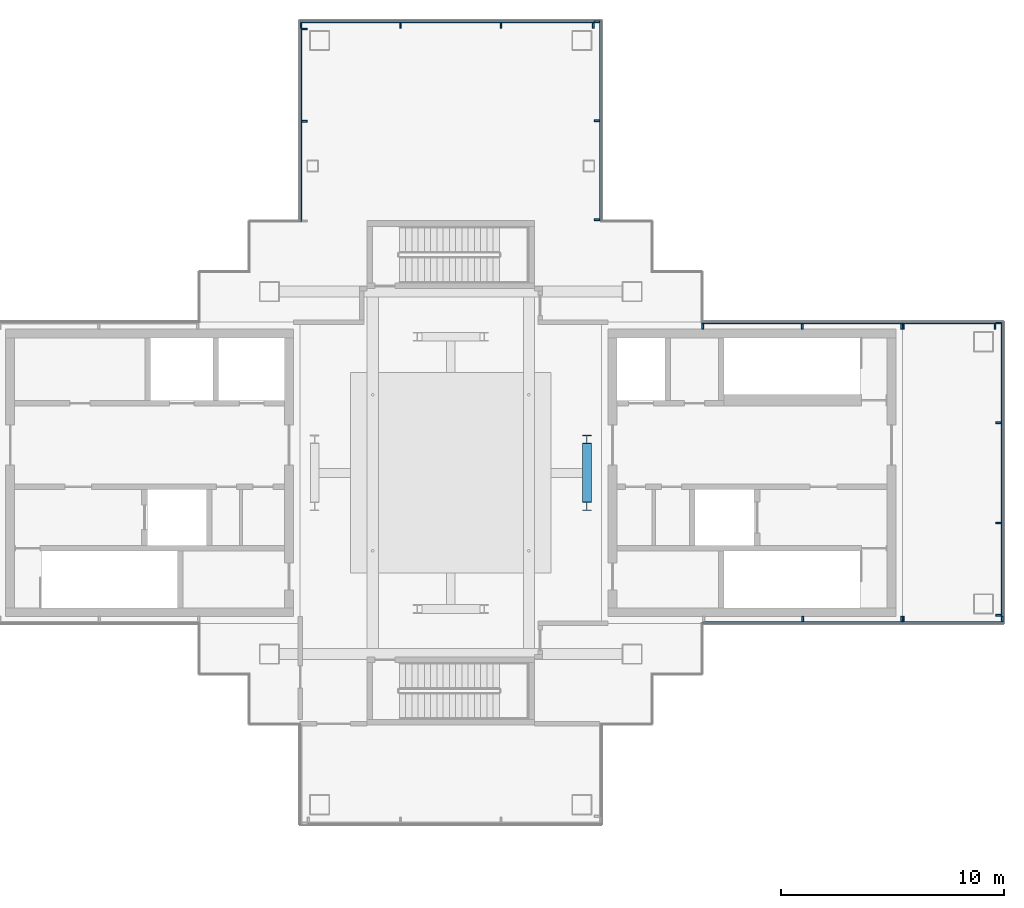
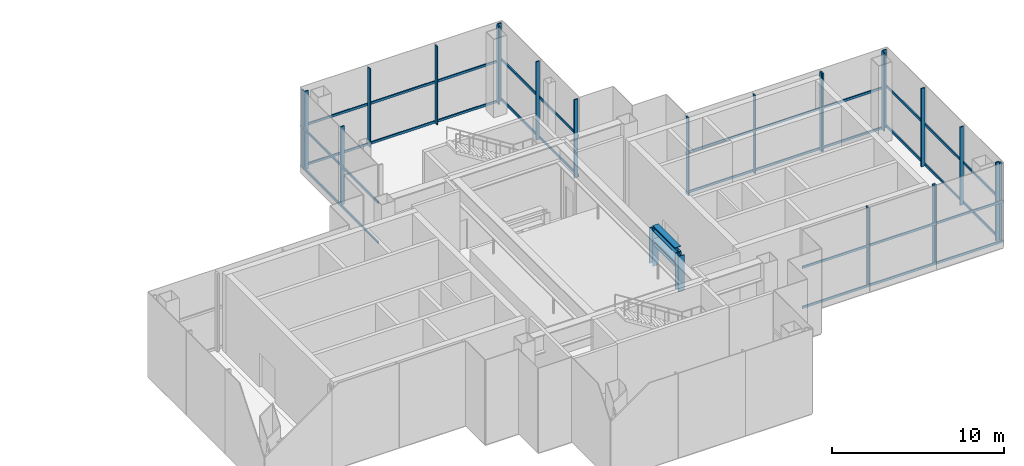
# One storey, part 6 of 17: 40 members, 2 beams, 8 elements without a shape of their own.
"""IFC4 building model written with IfcOpenShell, lengths in metres."""

from ifc_helpers import new_model, si_unit, direction, frame, origin, origin_2d, place, context, subcontext, project, spatial, rectangle, i_section, extrude, material, layer, layer_set, material_profile, profile_set, type_object, element, aggregate, save


model = new_model("IFC4")

# Units and contexts
model_context = context("Model", 3, precision=1e-05, world=origin(), true_north=direction((0.0, 1.0)))
body_context = subcontext(model_context, "Body", "Model", "MODEL_VIEW")
ifc_project = project(units=[si_unit("LENGTHUNIT", "METRE"), si_unit("AREAUNIT", "SQUARE_METRE"), si_unit("VOLUMEUNIT", "CUBIC_METRE"), si_unit("PLANEANGLEUNIT", "RADIAN"), si_unit("MASSUNIT", "GRAM", prefix="KILO")], contexts=[model_context])

# Site, building, storey
site_placement = place(None, origin())
site = spatial("IfcSite", under=ifc_project, at=site_placement, CompositionType="ELEMENT")
building_placement = place(site_placement, origin())
building = spatial("IfcBuilding", under=site, at=building_placement, Name="Shamsa Quay Exchange Towers", CompositionType="ELEMENT")
storey_placement = place(building_placement, frame((0.0, 0.0, 278.300048828125)))
storey = spatial("IfcBuildingStorey", under=building, at=storey_placement, Name="L67", CompositionType="ELEMENT", Elevation=278.300048828125)

# Curtain wall, members
ifc_material_1 = material(Name="Aluminium EN AW-6063 T6, black anodised", Category="aluminium")
ifc_layer = layer(ifc_material_1, 0.364013671875)
ifc_layer_set = layer_set([ifc_layer], Name="CW-5 LANTERN GLAZING")
curtain_wall_type = type_object("IfcCurtainWallType", Name="CW-5 LANTERN GLAZING", PredefinedType="NOTDEFINED", material=ifc_layer_set)
curtain_wall_1_placement = place(storey_placement, origin())
curtain_wall_1 = element("IfcCurtainWall", 1, at=curtain_wall_1_placement, inside=storey, type_object=curtain_wall_type, Name="CW5 T2-FLK-V-W L67", PredefinedType="NOTDEFINED")
ifc_material_profile_1 = material_profile(ifc_material_1, rectangle(XDim=0.239990234375, YDim=0.080078125, at=origin_2d()), Name="MU80x240")
ifc_profile_set_1 = profile_set([ifc_material_profile_1], Name="Aluminium EN AW-6063 T6, black anodised")
member_type_1 = type_object("IfcMemberType", Name="CW5 MULLION 80x240", PredefinedType="MULLION", material=ifc_profile_set_1)
member_1_placement = place(storey_placement, frame((49.52294921875, -6.550048828125, 0.0), z_axis=(0.0, 0.0, 1.0), x_axis=(0.0, 1.0, 0.0)))
member_1 = element("IfcMember", 2, at=member_1_placement, type_object=member_type_1, Name="CW5 mullion", PredefinedType="MULLION", context=body_context, shape_type="SweptSolid", body=[
    extrude(rectangle(XDim=0.239990234375, YDim=0.080078125, at=origin_2d()), origin(), (0.0, 0.0, 1.0), 5.550048828125),
])
member_2_placement = place(storey_placement, frame((53.9599609375, -6.550048828125, 0.0), z_axis=(0.0, 0.0, 1.0), x_axis=(0.0, 1.0, 0.0)))
member_2 = element("IfcMember", 3, at=member_2_placement, type_object=member_type_1, Name="CW5 mullion", PredefinedType="MULLION", context=body_context, shape_type="SweptSolid", body=[
    extrude(rectangle(XDim=0.239990234375, YDim=0.080078125, at=origin_2d()), origin(), (0.0, 0.0, 1.0), 5.550048828125),
])

curtain_wall_2_placement = place(storey_placement, origin())
curtain_wall_2 = element("IfcCurtainWall", 4, at=curtain_wall_2_placement, inside=storey, type_object=curtain_wall_type, Name="CW5 T2-FLK-V-W L67", PredefinedType="NOTDEFINED")
member_3_placement = place(storey_placement, frame((54.0400390625, -6.550048828125, 0.0), z_axis=(0.0, 0.0, 1.0), x_axis=(0.0, 1.0, 0.0)))
member_3 = element("IfcMember", 5, at=member_3_placement, type_object=member_type_1, Name="CW5 mullion", PredefinedType="MULLION", context=body_context, shape_type="SweptSolid", body=[
    extrude(rectangle(XDim=0.239990234375, YDim=0.080078125, at=origin_2d()), origin(), (0.0, 0.0, 1.0), 5.550048828125),
])
member_4_placement = place(storey_placement, frame((58.4599609375, -6.550048828125, 0.0), z_axis=(0.0, 0.0, 1.0), x_axis=(0.0, 1.0, 0.0)))
member_4 = element("IfcMember", 6, at=member_4_placement, type_object=member_type_1, Name="CW5 mullion", PredefinedType="MULLION", context=body_context, shape_type="SweptSolid", body=[
    extrude(rectangle(XDim=0.239990234375, YDim=0.080078125, at=origin_2d()), origin(), (0.0, 0.0, 1.0), 5.550048828125),
])

curtain_wall_3_placement = place(storey_placement, origin())
curtain_wall_3 = element("IfcCurtainWall", 7, at=curtain_wall_3_placement, inside=storey, type_object=curtain_wall_type, Name="CW5 T2-END-V- L67", PredefinedType="NOTDEFINED")
member_5_placement = place(storey_placement, frame((58.300048828125, -6.387939453125, 0.0), z_axis=(0.0, 0.0, 1.0), x_axis=(-1.0, 0.0, 0.0)))
member_5 = element("IfcMember", 8, at=member_5_placement, type_object=member_type_1, Name="CW5 mullion", PredefinedType="MULLION", context=body_context, shape_type="SweptSolid", body=[
    extrude(rectangle(XDim=0.239990234375, YDim=0.080078125, at=origin_2d()), origin(), (0.0, 0.0, 1.0), 5.550048828125),
])
member_6_placement = place(storey_placement, frame((58.300048828125, -2.25, 0.0), z_axis=(0.0, 0.0, 1.0), x_axis=(-1.0, 0.0, 0.0)))
member_6 = element("IfcMember", 9, at=member_6_placement, type_object=member_type_1, Name="CW5 mullion", PredefinedType="MULLION", context=body_context, shape_type="SweptSolid", body=[
    extrude(rectangle(XDim=0.239990234375, YDim=0.080078125, at=origin_2d()), origin(), (0.0, 0.0, 1.0), 5.550048828125),
])
member_7_placement = place(storey_placement, frame((58.300048828125, 2.25, 0.0), z_axis=(0.0, 0.0, 1.0), x_axis=(-1.0, 0.0, 0.0)))
member_7 = element("IfcMember", 10, at=member_7_placement, type_object=member_type_1, Name="CW5 mullion", PredefinedType="MULLION", context=body_context, shape_type="SweptSolid", body=[
    extrude(rectangle(XDim=0.239990234375, YDim=0.080078125, at=origin_2d()), origin(), (0.0, 0.0, 1.0), 5.550048828125),
])
member_8_placement = place(storey_placement, frame((58.300048828125, 6.7099609375, 0.0), z_axis=(0.0, 0.0, 1.0), x_axis=(-1.0, 0.0, 0.0)))
member_8 = element("IfcMember", 11, at=member_8_placement, type_object=member_type_1, Name="CW5 mullion", PredefinedType="MULLION", context=body_context, shape_type="SweptSolid", body=[
    extrude(rectangle(XDim=0.239990234375, YDim=0.080078125, at=origin_2d()), origin(), (0.0, 0.0, 1.0), 5.550048828125),
])

curtain_wall_4_placement = place(storey_placement, origin())
curtain_wall_4 = element("IfcCurtainWall", 12, at=curtain_wall_4_placement, inside=storey, type_object=curtain_wall_type, Name="CW5 T2-FLK-V-E L67", PredefinedType="NOTDEFINED")
member_9_placement = place(storey_placement, frame((58.137939453125, 6.550048828125, 0.0), z_axis=(0.0, 0.0, 1.0), x_axis=(0.0, -1.0, 0.0)))
member_9 = element("IfcMember", 13, at=member_9_placement, type_object=member_type_1, Name="CW5 mullion", PredefinedType="MULLION", context=body_context, shape_type="SweptSolid", body=[
    extrude(rectangle(XDim=0.239990234375, YDim=0.080078125, at=origin_2d()), origin(), (0.0, 0.0, 1.0), 5.550048828125),
])
member_10_placement = place(storey_placement, frame((54.0400390625, 6.550048828125, 0.0), z_axis=(0.0, 0.0, 1.0), x_axis=(0.0, -1.0, 0.0)))
member_10 = element("IfcMember", 14, at=member_10_placement, type_object=member_type_1, Name="CW5 mullion", PredefinedType="MULLION", context=body_context, shape_type="SweptSolid", body=[
    extrude(rectangle(XDim=0.239990234375, YDim=0.080078125, at=origin_2d()), origin(), (0.0, 0.0, 1.0), 5.550048828125),
])

curtain_wall_5_placement = place(storey_placement, origin())
curtain_wall_5 = element("IfcCurtainWall", 15, at=curtain_wall_5_placement, inside=storey, type_object=curtain_wall_type, Name="CW5 T2-FLK-V-E L67", PredefinedType="NOTDEFINED")
member_11_placement = place(storey_placement, frame((53.9599609375, 6.550048828125, 0.0), z_axis=(0.0, 0.0, 1.0), x_axis=(0.0, -1.0, 0.0)))
member_11 = element("IfcMember", 16, at=member_11_placement, type_object=member_type_1, Name="CW5 mullion", PredefinedType="MULLION", context=body_context, shape_type="SweptSolid", body=[
    extrude(rectangle(XDim=0.239990234375, YDim=0.080078125, at=origin_2d()), origin(), (0.0, 0.0, 1.0), 5.550048828125),
])
member_12_placement = place(storey_placement, frame((49.5, 6.550048828125, 0.0), z_axis=(0.0, 0.0, 1.0), x_axis=(0.0, -1.0, 0.0)))
member_12 = element("IfcMember", 17, at=member_12_placement, type_object=member_type_1, Name="CW5 mullion", PredefinedType="MULLION", context=body_context, shape_type="SweptSolid", body=[
    extrude(rectangle(XDim=0.239990234375, YDim=0.080078125, at=origin_2d()), origin(), (0.0, 0.0, 1.0), 5.550048828125),
])
member_13_placement = place(storey_placement, frame((45.0400390625, 6.550048828125, 0.0), z_axis=(0.0, 0.0, 1.0), x_axis=(0.0, -1.0, 0.0)))
member_13 = element("IfcMember", 18, at=member_13_placement, type_object=member_type_1, Name="CW5 mullion", PredefinedType="MULLION", context=body_context, shape_type="SweptSolid", body=[
    extrude(rectangle(XDim=0.239990234375, YDim=0.080078125, at=origin_2d()), origin(), (0.0, 0.0, 1.0), 5.550048828125),
])

curtain_wall_6_placement = place(storey_placement, origin())
curtain_wall_6 = element("IfcCurtainWall", 19, at=curtain_wall_6_placement, inside=storey, type_object=curtain_wall_type, Name="CW5 T2-FLK-U+S L67", PredefinedType="NOTDEFINED")
member_14_placement = place(storey_placement, frame((40.300048828125, 11.3359375, 0.0), z_axis=(0.0, 0.0, 1.0), x_axis=(-1.0, 0.0, 0.0)))
member_14 = element("IfcMember", 20, at=member_14_placement, type_object=member_type_1, Name="CW5 mullion", PredefinedType="MULLION", context=body_context, shape_type="SweptSolid", body=[
    extrude(rectangle(XDim=0.239990234375, YDim=0.080078125, at=origin_2d()), origin(), (0.0, 0.0, 1.0), 5.550048828125),
])
member_15_placement = place(storey_placement, frame((40.300048828125, 15.77294921875, 0.0), z_axis=(0.0, 0.0, 1.0), x_axis=(-1.0, 0.0, 0.0)))
member_15 = element("IfcMember", 21, at=member_15_placement, type_object=member_type_1, Name="CW5 mullion", PredefinedType="MULLION", context=body_context, shape_type="SweptSolid", body=[
    extrude(rectangle(XDim=0.239990234375, YDim=0.080078125, at=origin_2d()), origin(), (0.0, 0.0, 1.0), 5.550048828125),
])
member_16_placement = place(storey_placement, frame((40.300048828125, 20.2099609375, 0.0), z_axis=(0.0, 0.0, 1.0), x_axis=(-1.0, 0.0, 0.0)))
member_16 = element("IfcMember", 22, at=member_16_placement, type_object=member_type_1, Name="CW5 mullion", PredefinedType="MULLION", context=body_context, shape_type="SweptSolid", body=[
    extrude(rectangle(XDim=0.239990234375, YDim=0.080078125, at=origin_2d()), origin(), (0.0, 0.0, 1.0), 5.550048828125),
])

curtain_wall_7_placement = place(storey_placement, origin())
curtain_wall_7 = element("IfcCurtainWall", 23, at=curtain_wall_7_placement, inside=storey, type_object=curtain_wall_type, Name="CW5 T2-END-U+ L67", PredefinedType="NOTDEFINED")
member_17_placement = place(storey_placement, frame((40.137939453125, 20.050048828125, 0.0), z_axis=(0.0, 0.0, 1.0), x_axis=(0.0, -1.0, 0.0)))
member_17 = element("IfcMember", 24, at=member_17_placement, type_object=member_type_1, Name="CW5 mullion", PredefinedType="MULLION", context=body_context, shape_type="SweptSolid", body=[
    extrude(rectangle(XDim=0.239990234375, YDim=0.080078125, at=origin_2d()), origin(), (0.0, 0.0, 1.0), 5.550048828125),
])
member_18_placement = place(storey_placement, frame((36.0, 20.050048828125, 0.0), z_axis=(0.0, 0.0, 1.0), x_axis=(0.0, -1.0, 0.0)))
member_18 = element("IfcMember", 25, at=member_18_placement, type_object=member_type_1, Name="CW5 mullion", PredefinedType="MULLION", context=body_context, shape_type="SweptSolid", body=[
    extrude(rectangle(XDim=0.239990234375, YDim=0.080078125, at=origin_2d()), origin(), (0.0, 0.0, 1.0), 5.550048828125),
])
member_19_placement = place(storey_placement, frame((31.5, 20.050048828125, 0.0), z_axis=(0.0, 0.0, 1.0), x_axis=(0.0, -1.0, 0.0)))
member_19 = element("IfcMember", 26, at=member_19_placement, type_object=member_type_1, Name="CW5 mullion", PredefinedType="MULLION", context=body_context, shape_type="SweptSolid", body=[
    extrude(rectangle(XDim=0.239990234375, YDim=0.080078125, at=origin_2d()), origin(), (0.0, 0.0, 1.0), 5.550048828125),
])
member_20_placement = place(storey_placement, frame((27.0400390625, 20.050048828125, 0.0), z_axis=(0.0, 0.0, 1.0), x_axis=(0.0, -1.0, 0.0)))
member_20 = element("IfcMember", 27, at=member_20_placement, type_object=member_type_1, Name="CW5 mullion", PredefinedType="MULLION", context=body_context, shape_type="SweptSolid", body=[
    extrude(rectangle(XDim=0.239990234375, YDim=0.080078125, at=origin_2d()), origin(), (0.0, 0.0, 1.0), 5.550048828125),
])

curtain_wall_8_placement = place(storey_placement, origin())
curtain_wall_8 = element("IfcCurtainWall", 28, at=curtain_wall_8_placement, inside=storey, type_object=curtain_wall_type, Name="CW5 T2-FLK-U+N L67", PredefinedType="NOTDEFINED")
member_21_placement = place(storey_placement, frame((27.199951171875, 19.887939453125, 0.0)))
member_21 = element("IfcMember", 29, at=member_21_placement, type_object=member_type_1, Name="CW5 mullion", PredefinedType="MULLION", context=body_context, shape_type="SweptSolid", body=[
    extrude(rectangle(XDim=0.239990234375, YDim=0.080078125, at=origin_2d()), origin(), (0.0, 0.0, 1.0), 5.550048828125),
])
member_22_placement = place(storey_placement, frame((27.199951171875, 15.75, 0.0)))
member_22 = element("IfcMember", 30, at=member_22_placement, type_object=member_type_1, Name="CW5 mullion", PredefinedType="MULLION", context=body_context, shape_type="SweptSolid", body=[
    extrude(rectangle(XDim=0.239990234375, YDim=0.080078125, at=origin_2d()), origin(), (0.0, 0.0, 1.0), 5.550048828125),
])

# Member
ifc_material_profile_2 = material_profile(ifc_material_1, rectangle(XDim=0.080078125, YDim=0.159912109375, at=origin_2d()), Name="TR160x80")
ifc_profile_set_2 = profile_set([ifc_material_profile_2], Name="Aluminium EN AW-6063 T6, black anodised")
member_type_2 = type_object("IfcMemberType", Name="CW5 TRANSOM 160x80", PredefinedType="USERDEFINED", material=ifc_profile_set_2)
member_23_placement = place(storey_placement, frame((45.0458984375, -6.7099609375, 0.079833984375), z_axis=(1.0, 0.0, 0.0), x_axis=(0.0, 1.0, 0.0)))
member_23 = element("IfcMember", 31, at=member_23_placement, type_object=member_type_2, Name="CW5 transom", ObjectType="TRANSOM", PredefinedType="USERDEFINED", context=body_context, shape_type="SweptSolid", body=[
    extrude(rectangle(XDim=0.080078125, YDim=0.159912109375, at=origin_2d()), origin(), (0.0, 0.0, 1.0), 8.9541015625),
])

member_24_placement = place(storey_placement, frame((45.0458984375, -6.7099609375, 2.905029296875), z_axis=(1.0, 0.0, 0.0), x_axis=(0.0, 1.0, 0.0)))
member_24 = element("IfcMember", 32, at=member_24_placement, type_object=member_type_2, Name="CW5 transom", ObjectType="TRANSOM", PredefinedType="USERDEFINED", context=body_context, shape_type="SweptSolid", body=[
    extrude(rectangle(XDim=0.080078125, YDim=0.159912109375, at=origin_2d()), origin(), (0.0, 0.0, 1.0), 8.9541015625),
])

aggregate(curtain_wall_1, [member_23, member_24, member_1, member_2])

member_25_placement = place(storey_placement, frame((54.0, -6.7099609375, 0.079833984375), z_axis=(1.0, 0.0, 0.0), x_axis=(0.0, 1.0, 0.0)))
member_25 = element("IfcMember", 33, at=member_25_placement, type_object=member_type_2, Name="CW5 transom", ObjectType="TRANSOM", PredefinedType="USERDEFINED", context=body_context, shape_type="SweptSolid", body=[
    extrude(rectangle(XDim=0.080078125, YDim=0.159912109375, at=origin_2d()), origin(), (0.0, 0.0, 1.0), 4.5),
])

member_26_placement = place(storey_placement, frame((54.0, -6.7099609375, 2.905029296875), z_axis=(1.0, 0.0, 0.0), x_axis=(0.0, 1.0, 0.0)))
member_26 = element("IfcMember", 34, at=member_26_placement, type_object=member_type_2, Name="CW5 transom", ObjectType="TRANSOM", PredefinedType="USERDEFINED", context=body_context, shape_type="SweptSolid", body=[
    extrude(rectangle(XDim=0.080078125, YDim=0.159912109375, at=origin_2d()), origin(), (0.0, 0.0, 1.0), 4.5),
])

aggregate(curtain_wall_2, [member_25, member_26, member_3, member_4])

member_27_placement = place(storey_placement, frame((58.4599609375, -6.427978515625, 0.079833984375), z_axis=(0.0, 1.0, 0.0), x_axis=(-1.0, 0.0, 0.0)))
member_27 = element("IfcMember", 35, at=member_27_placement, type_object=member_type_2, Name="CW5 transom", ObjectType="TRANSOM", PredefinedType="USERDEFINED", context=body_context, shape_type="SweptSolid", body=[
    extrude(rectangle(XDim=0.080078125, YDim=0.159912109375, at=origin_2d()), origin(), (0.0, 0.0, 1.0), 13.177978515625),
])

member_28_placement = place(storey_placement, frame((58.4599609375, -6.427978515625, 2.905029296875), z_axis=(0.0, 1.0, 0.0), x_axis=(-1.0, 0.0, 0.0)))
member_28 = element("IfcMember", 36, at=member_28_placement, type_object=member_type_2, Name="CW5 transom", ObjectType="TRANSOM", PredefinedType="USERDEFINED", context=body_context, shape_type="SweptSolid", body=[
    extrude(rectangle(XDim=0.080078125, YDim=0.159912109375, at=origin_2d()), origin(), (0.0, 0.0, 1.0), 13.177978515625),
])

aggregate(curtain_wall_3, [member_27, member_28, member_5, member_6, member_7, member_8])

member_29_placement = place(storey_placement, frame((58.177978515625, 6.7099609375, 0.079833984375), z_axis=(-1.0, 0.0, 0.0), x_axis=(0.0, -1.0, 0.0)))
member_29 = element("IfcMember", 37, at=member_29_placement, type_object=member_type_2, Name="CW5 transom", ObjectType="TRANSOM", PredefinedType="USERDEFINED", context=body_context, shape_type="SweptSolid", body=[
    extrude(rectangle(XDim=0.080078125, YDim=0.159912109375, at=origin_2d()), origin(), (0.0, 0.0, 1.0), 4.177978515625),
])

member_30_placement = place(storey_placement, frame((58.177978515625, 6.7099609375, 2.905029296875), z_axis=(-1.0, 0.0, 0.0), x_axis=(0.0, -1.0, 0.0)))
member_30 = element("IfcMember", 38, at=member_30_placement, type_object=member_type_2, Name="CW5 transom", ObjectType="TRANSOM", PredefinedType="USERDEFINED", context=body_context, shape_type="SweptSolid", body=[
    extrude(rectangle(XDim=0.080078125, YDim=0.159912109375, at=origin_2d()), origin(), (0.0, 0.0, 1.0), 4.177978515625),
])

aggregate(curtain_wall_4, [member_29, member_30, member_9, member_10])

member_31_placement = place(storey_placement, frame((54.0, 6.7099609375, 0.079833984375), z_axis=(-1.0, 0.0, 0.0), x_axis=(0.0, -1.0, 0.0)))
member_31 = element("IfcMember", 39, at=member_31_placement, type_object=member_type_2, Name="CW5 transom", ObjectType="TRANSOM", PredefinedType="USERDEFINED", context=body_context, shape_type="SweptSolid", body=[
    extrude(rectangle(XDim=0.080078125, YDim=0.159912109375, at=origin_2d()), origin(), (0.0, 0.0, 1.0), 9.0),
])

member_32_placement = place(storey_placement, frame((54.0, 6.7099609375, 2.905029296875), z_axis=(-1.0, 0.0, 0.0), x_axis=(0.0, -1.0, 0.0)))
member_32 = element("IfcMember", 40, at=member_32_placement, type_object=member_type_2, Name="CW5 transom", ObjectType="TRANSOM", PredefinedType="USERDEFINED", context=body_context, shape_type="SweptSolid", body=[
    extrude(rectangle(XDim=0.080078125, YDim=0.159912109375, at=origin_2d()), origin(), (0.0, 0.0, 1.0), 9.0),
])

aggregate(curtain_wall_5, [member_31, member_32, member_11, member_12, member_13])

member_33_placement = place(storey_placement, frame((40.4599609375, 11.2958984375, 0.079833984375), z_axis=(0.0, 1.0, 0.0), x_axis=(-1.0, 0.0, 0.0)))
member_33 = element("IfcMember", 41, at=member_33_placement, type_object=member_type_2, Name="CW5 transom", ObjectType="TRANSOM", PredefinedType="USERDEFINED", context=body_context, shape_type="SweptSolid", body=[
    extrude(rectangle(XDim=0.080078125, YDim=0.159912109375, at=origin_2d()), origin(), (0.0, 0.0, 1.0), 8.9541015625),
])

member_34_placement = place(storey_placement, frame((40.4599609375, 11.2958984375, 2.905029296875), z_axis=(0.0, 1.0, 0.0), x_axis=(-1.0, 0.0, 0.0)))
member_34 = element("IfcMember", 42, at=member_34_placement, type_object=member_type_2, Name="CW5 transom", ObjectType="TRANSOM", PredefinedType="USERDEFINED", context=body_context, shape_type="SweptSolid", body=[
    extrude(rectangle(XDim=0.080078125, YDim=0.159912109375, at=origin_2d()), origin(), (0.0, 0.0, 1.0), 8.9541015625),
])

aggregate(curtain_wall_6, [member_33, member_34, member_14, member_15, member_16])

member_35_placement = place(storey_placement, frame((40.177978515625, 20.2099609375, 0.079833984375), z_axis=(-1.0, 0.0, 0.0), x_axis=(0.0, -1.0, 0.0)))
member_35 = element("IfcMember", 43, at=member_35_placement, type_object=member_type_2, Name="CW5 transom", ObjectType="TRANSOM", PredefinedType="USERDEFINED", context=body_context, shape_type="SweptSolid", body=[
    extrude(rectangle(XDim=0.080078125, YDim=0.159912109375, at=origin_2d()), origin(), (0.0, 0.0, 1.0), 13.177978515625),
])

member_36_placement = place(storey_placement, frame((40.177978515625, 20.2099609375, 2.905029296875), z_axis=(-1.0, 0.0, 0.0), x_axis=(0.0, -1.0, 0.0)))
member_36 = element("IfcMember", 44, at=member_36_placement, type_object=member_type_2, Name="CW5 transom", ObjectType="TRANSOM", PredefinedType="USERDEFINED", context=body_context, shape_type="SweptSolid", body=[
    extrude(rectangle(XDim=0.080078125, YDim=0.159912109375, at=origin_2d()), origin(), (0.0, 0.0, 1.0), 13.177978515625),
])

aggregate(curtain_wall_7, [member_35, member_36, member_17, member_18, member_19, member_20])

member_37_placement = place(storey_placement, frame((27.0400390625, 19.927978515625, 0.079833984375), z_axis=(0.0, -1.0, 0.0), x_axis=(1.0, 0.0, 0.0)))
member_37 = element("IfcMember", 45, at=member_37_placement, type_object=member_type_2, Name="CW5 transom", ObjectType="TRANSOM", PredefinedType="USERDEFINED", context=body_context, shape_type="SweptSolid", body=[
    extrude(rectangle(XDim=0.080078125, YDim=0.159912109375, at=origin_2d()), origin(), (0.0, 0.0, 1.0), 8.677978515625),
])

member_38_placement = place(storey_placement, frame((27.0400390625, 19.927978515625, 2.905029296875), z_axis=(0.0, -1.0, 0.0), x_axis=(1.0, 0.0, 0.0)))
member_38 = element("IfcMember", 46, at=member_38_placement, type_object=member_type_2, Name="CW5 transom", ObjectType="TRANSOM", PredefinedType="USERDEFINED", context=body_context, shape_type="SweptSolid", body=[
    extrude(rectangle(XDim=0.080078125, YDim=0.159912109375, at=origin_2d()), origin(), (0.0, 0.0, 1.0), 8.677978515625),
])

aggregate(curtain_wall_8, [member_37, member_38, member_21, member_22])

# Beams
ifc_material_2 = material(Name="Steel S355", Category="steel")
ifc_material_profile_3 = material_profile(ifc_material_2, i_section(OverallWidth=0.393798828125, OverallDepth=0.37548828125, WebThickness=0.017333984375, FlangeThickness=0.027587890625, at=origin_2d()), Name="W14x145")
ifc_profile_set_3 = profile_set([ifc_material_profile_3], Name="Steel S355")
beam_type = type_object("IfcBeamType", Name="Damper frame beam W14x145", PredefinedType="BEAM", material=ifc_profile_set_3)
for number, where, z_axis, x_axis, name in (
    (47, (39.85009765625, -1.303466796875, 1.75), (0.0, 1.0, 0.0), (-1.0, 0.0, 0.0), "Damper support frame beam T2 E"),
    (48, (39.85009765625, -1.303466796875, 2.712158203125), (0.0, 1.0, 0.0), (-1.0, 0.0, 0.0), "Damper support frame beam T2 E"),
):
    element("IfcBeam", number, at=place(storey_placement, frame(where, z_axis=z_axis, x_axis=x_axis)), inside=storey, type_object=beam_type, Name=name, PredefinedType="BEAM", context=body_context, shape_type="SweptSolid", body=[
        extrude(i_section(OverallWidth=0.393798828125, OverallDepth=0.37548828125, WebThickness=0.017333984375, FlangeThickness=0.027587890625, at=origin_2d()), origin(), (0.0, 0.0, 1.0), 2.60693359375),
    ])

# Members
ifc_material_profile_4 = material_profile(ifc_material_2, i_section(OverallWidth=0.39892578125, OverallDepth=0.393310546875, WebThickness=0.022705078125, FlangeThickness=0.03662109375, at=origin_2d()), Name="W14x193")
ifc_profile_set_4 = profile_set([ifc_material_profile_4], Name="Steel S355")
member_type_3 = type_object("IfcMemberType", Name="Damper frame post W14x193", PredefinedType="POST", material=ifc_profile_set_4)
for number, where, name in (
    (49, (39.85009765625, -1.5, 0.0), "Damper support frame post T2 E"),
    (50, (39.85009765625, 1.5, 0.0), "Damper support frame post T2 E"),
):
    element("IfcMember", number, at=place(storey_placement, frame(where)), inside=storey, type_object=member_type_3, Name=name, PredefinedType="POST", context=body_context, shape_type="SweptSolid", body=[
        extrude(i_section(OverallWidth=0.39892578125, OverallDepth=0.393310546875, WebThickness=0.022705078125, FlangeThickness=0.03662109375, at=origin_2d()), origin(), (0.0, 0.0, 1.0), 2.524658203125),
    ])

save(model, "model.ifc")
